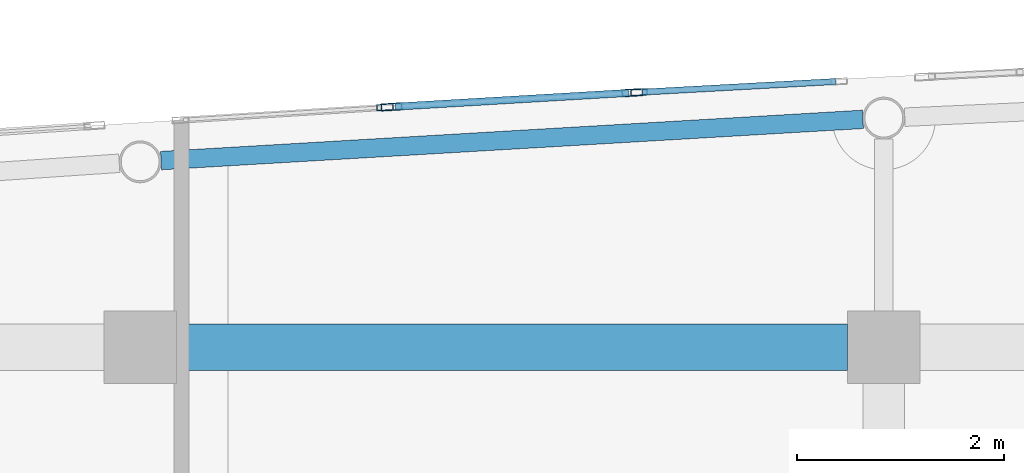
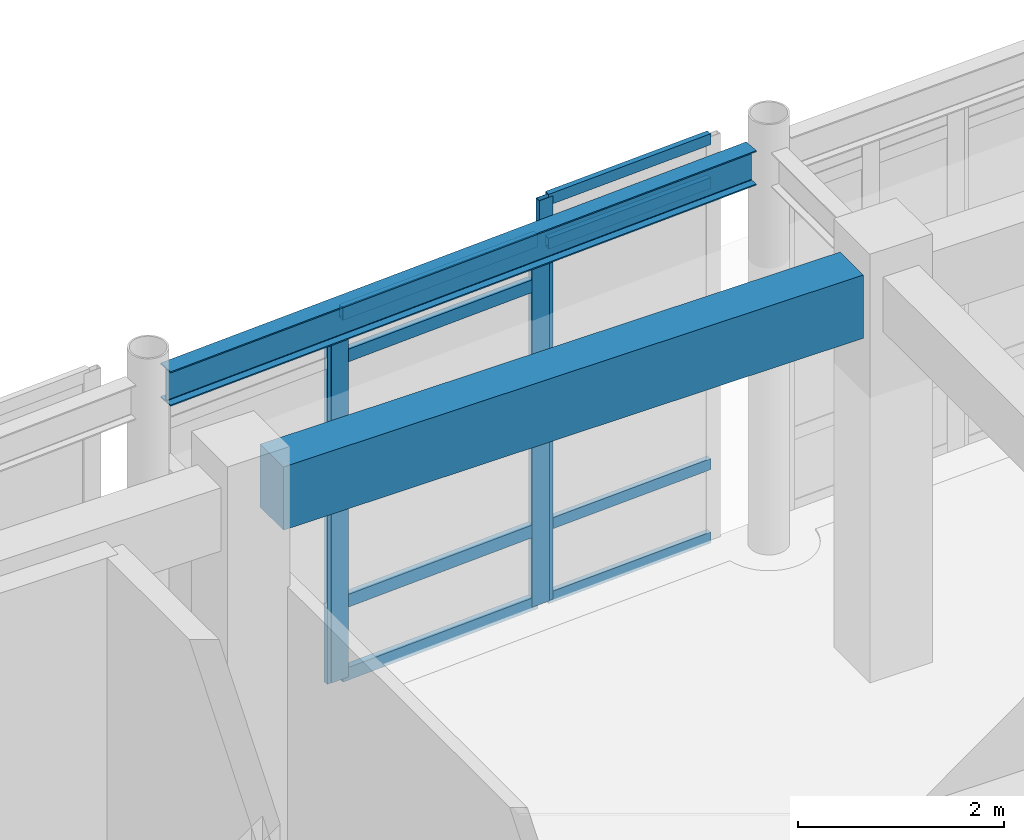
# One storey, part 34 of 117: 12 members, 2 beams, 3 elements without a shape of their own.
"""IFC4 building model written with IfcOpenShell, lengths in metres."""

from ifc_helpers import new_model, si_unit, direction, frame, origin, origin_2d, place, context, subcontext, project, spatial, rectangle, hollow_rectangle, i_section, extrude, material, layer, layer_set, material_profile, profile_set, type_object, element, aggregate, save


model = new_model("IFC4")

# Units and contexts
model_context = context("Model", 3, precision=1e-05, world=origin(), true_north=direction((0.0, 1.0)))
body_context = subcontext(model_context, "Body", "Model", "MODEL_VIEW")
ifc_project = project(units=[si_unit("LENGTHUNIT", "METRE"), si_unit("AREAUNIT", "SQUARE_METRE"), si_unit("VOLUMEUNIT", "CUBIC_METRE"), si_unit("PLANEANGLEUNIT", "RADIAN"), si_unit("MASSUNIT", "GRAM", prefix="KILO")], contexts=[model_context])

# Site, building, storey
site_placement = place(None, origin())
site = spatial("IfcSite", under=ifc_project, at=site_placement, CompositionType="ELEMENT")
building_placement = place(site_placement, origin())
building = spatial("IfcBuilding", under=site, at=building_placement, Name="Carrowvane Square Congress Hotel", CompositionType="ELEMENT")
storey_placement = place(building_placement, frame((0.0, 0.0, 5.39990234375)))
storey = spatial("IfcBuildingStorey", under=building, at=storey_placement, Name="L01", CompositionType="ELEMENT", Elevation=5.39990234375)

# Beams
ifc_material_1 = material(Name="Concrete C35/45", Category="concrete")
ifc_material_profile_1 = material_profile(ifc_material_1, rectangle(XDim=0.449951171875, YDim=0.75, at=origin_2d()), Name="RC 450x750")
ifc_profile_set_1 = profile_set([ifc_material_profile_1], Name="Concrete C35/45")
beam_type_1 = type_object("IfcBeamType", Name="BM-RC-450x750", PredefinedType="USERDEFINED", material=ifc_profile_set_1)
beam_1_placement = place(storey_placement, frame((69.550048828125, 113.39990234375, 4.405029296875), z_axis=(1.0, 0.0, 0.0), x_axis=(0.0, 1.0, 0.0)))
element("IfcBeam", 1, at=beam_1_placement, inside=storey, type_object=beam_type_1, Name="L02 girder R/9-10", ObjectType="GIRDER", PredefinedType="USERDEFINED", context=body_context, shape_type="SweptSolid", body=[
    extrude(rectangle(XDim=0.449951171875, YDim=0.75, at=origin_2d()), origin(), (0.0, 0.0, 1.0), 6.5),
])
ifc_material_2 = material(Name="Steel S355", Category="steel")
ifc_material_profile_2 = material_profile(ifc_material_2, i_section(OverallWidth=0.1787109375, OverallDepth=0.409423828125, WebThickness=0.0087890625, FlangeThickness=0.014404296875, FilletRadius=0.01025390625, at=origin_2d()), Name="UKB 406x178x67")
ifc_profile_set_2 = profile_set([ifc_material_profile_2], Name="Steel S355")
beam_type_2 = type_object("IfcBeamType", Name="BM-ST-UKB406", PredefinedType="BEAM", material=ifc_profile_set_2)
beam_2_placement = place(storey_placement, frame((69.40283203125, 115.206298828125, 4.575439453125), z_axis=(0.998276598904, 0.058684172325, 0.0), x_axis=(-0.058684172325, 0.998276598904, 0.0)))
element("IfcBeam", 2, at=beam_2_placement, inside=storey, type_object=beam_type_2, Name="L02 curved north spandrel", PredefinedType="BEAM", context=body_context, shape_type="SweptSolid", body=[
    extrude(i_section(OverallWidth=0.1787109375, OverallDepth=0.409423828125, WebThickness=0.0087890625, FlangeThickness=0.014404296875, FilletRadius=0.01025390625, at=origin_2d()), origin(), (0.0, 0.0, 1.0), 6.80615234375),
])

# Curtain wall, member
ifc_material_3 = material(Name="Anodised aluminium", Category="aluminium")
ifc_layer_1 = layer(ifc_material_3, 0.2099609375)
ifc_layer_set_1 = layer_set([ifc_layer_1], Name="Anodised aluminium")
curtain_wall_type_1 = type_object("IfcCurtainWallType", Name="CW-SYS-5", PredefinedType="NOTDEFINED", material=ifc_layer_set_1)
curtain_wall_1_placement = place(storey_placement, origin())
curtain_wall_1 = element("IfcCurtainWall", 3, at=curtain_wall_1_placement, inside=storey, type_object=curtain_wall_type_1, Name="L01 unitised curtain wall 76", PredefinedType="NOTDEFINED")
ifc_material_4 = material(Name="Anodised aluminium", Category="aluminium")
ifc_material_profile_3 = material_profile(ifc_material_4, hollow_rectangle(XDim=0.06005859375, YDim=0.159912109375, WallThickness=0.00390625, at=origin_2d()), Name="CW-ML 60x160x4")
ifc_profile_set_3 = profile_set([ifc_material_profile_3], Name="Anodised aluminium")
member_type_1 = type_object("IfcMemberType", Name="CW-MUL-1", PredefinedType="MULLION", material=ifc_profile_set_3)
member_1_placement = place(storey_placement, frame((71.570068359375, 115.722412109375, 0.0), z_axis=(0.0, 0.0, 1.0), x_axis=(-0.062397474952, 0.998051378998, 0.0)))
member_1 = element("IfcMember", 4, at=member_1_placement, type_object=member_type_1, Name="CW-5 mullion 2", PredefinedType="MULLION", context=body_context, shape_type="SweptSolid", body=[
    extrude(hollow_rectangle(XDim=0.06005859375, YDim=0.159912109375, WallThickness=0.00390625, at=origin_2d()), origin(), (0.0, 0.0, 1.0), 4.355712890625),
])
aggregate(curtain_wall_1, [member_1])

ifc_material_5 = material(Name="Anodised aluminium", Category="aluminium")
ifc_layer_2 = layer(ifc_material_5, 0.23388671875)
ifc_layer_set_2 = layer_set([ifc_layer_2], Name="Anodised aluminium")
curtain_wall_type_2 = type_object("IfcCurtainWallType", Name="CW-SYS-7", PredefinedType="NOTDEFINED", material=ifc_layer_set_2)
curtain_wall_2_placement = place(storey_placement, origin())
curtain_wall_2 = element("IfcCurtainWall", 5, at=curtain_wall_2_placement, inside=storey, type_object=curtain_wall_type_2, Name="L01 unitised curtain wall 78", PredefinedType="NOTDEFINED")
member_2_placement = place(storey_placement, frame((74.030029296875, 115.867431640625, 0.0), z_axis=(0.0, 0.0, 1.0), x_axis=(-0.054815980317, 0.998496473856, 0.0)))
member_2 = element("IfcMember", 6, at=member_2_placement, type_object=member_type_1, Name="CW-7 mullion 1", PredefinedType="MULLION", context=body_context, shape_type="SweptSolid", body=[
    extrude(hollow_rectangle(XDim=0.06005859375, YDim=0.159912109375, WallThickness=0.00390625, at=origin_2d()), origin(), (0.0, 0.0, 1.0), 4.780029296875),
])

# Curtain wall, members
ifc_material_6 = material(Name="Anodised aluminium", Category="aluminium")
ifc_layer_3 = layer(ifc_material_6, 0.221923828125)
ifc_layer_set_3 = layer_set([ifc_layer_3], Name="Anodised aluminium")
curtain_wall_type_3 = type_object("IfcCurtainWallType", Name="CW-SYS-6", PredefinedType="NOTDEFINED", material=ifc_layer_set_3)
curtain_wall_3_placement = place(storey_placement, origin())
curtain_wall_3 = element("IfcCurtainWall", 7, at=curtain_wall_3_placement, inside=storey, type_object=curtain_wall_type_3, Name="L01 unitised curtain wall 77", PredefinedType="NOTDEFINED")
ifc_material_7 = material(Name="Anodised aluminium", Category="aluminium")
ifc_material_profile_4 = material_profile(ifc_material_7, hollow_rectangle(XDim=0.070068359375, YDim=0.199951171875, WallThickness=0.0048828125, at=origin_2d()), Name="CW-ML 70x200x5")
ifc_profile_set_4 = profile_set([ifc_material_profile_4], Name="Anodised aluminium")
member_type_2 = type_object("IfcMemberType", Name="CW-MUL-2", PredefinedType="MULLION", material=ifc_profile_set_4)
member_3_placement = place(storey_placement, frame((71.635009765625, 115.726318359375, 0.0), z_axis=(0.0, 0.0, 1.0), x_axis=(-0.058851249486, 0.998266763162, 0.0)))
member_3 = element("IfcMember", 8, at=member_3_placement, type_object=member_type_2, Name="CW-6 mullion 1", PredefinedType="MULLION", context=body_context, shape_type="SweptSolid", body=[
    extrude(hollow_rectangle(XDim=0.070068359375, YDim=0.199951171875, WallThickness=0.0048828125, at=origin_2d()), origin(), (0.0, 0.0, 1.0), 4.355712890625),
])
member_4_placement = place(storey_placement, frame((73.965087890625, 115.86376953125, 0.0), z_axis=(0.0, 0.0, 1.0), x_axis=(-0.058851249486, 0.998266763162, 0.0)))
member_4 = element("IfcMember", 9, at=member_4_placement, type_object=member_type_2, Name="CW-6 mullion 2", PredefinedType="MULLION", context=body_context, shape_type="SweptSolid", body=[
    extrude(hollow_rectangle(XDim=0.070068359375, YDim=0.199951171875, WallThickness=0.0048828125, at=origin_2d()), origin(), (0.0, 0.0, 1.0), 4.355712890625),
])

# Member
ifc_material_8 = material(Name="Anodised aluminium", Category="aluminium")
ifc_material_profile_5 = material_profile(ifc_material_8, hollow_rectangle(XDim=0.06005859375, YDim=0.1298828125, WallThickness=0.00390625, at=origin_2d()), Name="CW-TR 60x130x4")
ifc_profile_set_5 = profile_set([ifc_material_profile_5], Name="Anodised aluminium")
member_type_3 = type_object("IfcMemberType", Name="CW-TRN-1", PredefinedType="USERDEFINED", material=ifc_profile_set_5)
member_5_placement = place(storey_placement, frame((74.059814453125, 115.869140625, 0.030029296875), z_axis=(0.99849494655, 0.054843793758, 0.0), x_axis=(-0.054843793758, 0.99849494655, 0.0)))
member_5 = element("IfcMember", 10, at=member_5_placement, type_object=member_type_3, Name="CW-7 transom 1.1", ObjectType="TRANSOM", PredefinedType="USERDEFINED", context=body_context, shape_type="SweptSolid", body=[
    extrude(hollow_rectangle(XDim=0.06005859375, YDim=0.1298828125, WallThickness=0.00390625, at=origin_2d()), origin(), (0.0, 0.0, 1.0), 1.878662109375),
])

member_6_placement = place(storey_placement, frame((74.059814453125, 115.869140625, 0.900146484375), z_axis=(0.99849494655, 0.054843793758, 0.0), x_axis=(-0.054843793758, 0.99849494655, 0.0)))
member_6 = element("IfcMember", 11, at=member_6_placement, type_object=member_type_3, Name="CW-7 transom 1.2", ObjectType="TRANSOM", PredefinedType="USERDEFINED", context=body_context, shape_type="SweptSolid", body=[
    extrude(hollow_rectangle(XDim=0.06005859375, YDim=0.1298828125, WallThickness=0.00390625, at=origin_2d()), origin(), (0.0, 0.0, 1.0), 1.878662109375),
])

member_7_placement = place(storey_placement, frame((74.059814453125, 115.869140625, 4.22998046875), z_axis=(0.99849494655, 0.054843793758, 0.0), x_axis=(-0.054843793758, 0.99849494655, 0.0)))
member_7 = element("IfcMember", 12, at=member_7_placement, type_object=member_type_3, Name="CW-7 transom 1.3", ObjectType="TRANSOM", PredefinedType="USERDEFINED", context=body_context, shape_type="SweptSolid", body=[
    extrude(hollow_rectangle(XDim=0.06005859375, YDim=0.1298828125, WallThickness=0.00390625, at=origin_2d()), origin(), (0.0, 0.0, 1.0), 1.878662109375),
])

member_8_placement = place(storey_placement, frame((74.059814453125, 115.869140625, 4.75), z_axis=(0.99849494655, 0.054843793758, 0.0), x_axis=(-0.054843793758, 0.99849494655, 0.0)))
member_8 = element("IfcMember", 13, at=member_8_placement, type_object=member_type_3, Name="CW-7 transom 1.4", ObjectType="TRANSOM", PredefinedType="USERDEFINED", context=body_context, shape_type="SweptSolid", body=[
    extrude(hollow_rectangle(XDim=0.06005859375, YDim=0.1298828125, WallThickness=0.00390625, at=origin_2d()), origin(), (0.0, 0.0, 1.0), 1.878662109375),
])

aggregate(curtain_wall_2, [member_2, member_5, member_6, member_7, member_8])

ifc_material_9 = material(Name="Anodised aluminium", Category="aluminium")
ifc_material_profile_6 = material_profile(ifc_material_9, hollow_rectangle(XDim=0.070068359375, YDim=0.14990234375, WallThickness=0.0048828125, at=origin_2d()), Name="CW-TR 70x150x5")
ifc_profile_set_6 = profile_set([ifc_material_profile_6], Name="Anodised aluminium")
member_type_4 = type_object("IfcMemberType", Name="CW-TRN-2", PredefinedType="USERDEFINED", material=ifc_profile_set_6)
member_9_placement = place(storey_placement, frame((71.669921875, 115.728515625, 0.03515625), z_axis=(0.998265438007, 0.058873723175, 0.0), x_axis=(-0.058873723175, 0.998265438007, 0.0)))
member_9 = element("IfcMember", 14, at=member_9_placement, type_object=member_type_4, Name="CW-6 transom 1.1", ObjectType="TRANSOM", PredefinedType="USERDEFINED", context=body_context, shape_type="SweptSolid", body=[
    extrude(hollow_rectangle(XDim=0.070068359375, YDim=0.14990234375, WallThickness=0.0048828125, at=origin_2d()), origin(), (0.0, 0.0, 1.0), 2.26416015625),
])

member_10_placement = place(storey_placement, frame((71.669921875, 115.728515625, 0.900146484375), z_axis=(0.998265438007, 0.058873723175, 0.0), x_axis=(-0.058873723175, 0.998265438007, 0.0)))
member_10 = element("IfcMember", 15, at=member_10_placement, type_object=member_type_4, Name="CW-6 transom 1.2", ObjectType="TRANSOM", PredefinedType="USERDEFINED", context=body_context, shape_type="SweptSolid", body=[
    extrude(hollow_rectangle(XDim=0.070068359375, YDim=0.14990234375, WallThickness=0.0048828125, at=origin_2d()), origin(), (0.0, 0.0, 1.0), 2.26416015625),
])

member_11_placement = place(storey_placement, frame((71.669921875, 115.728515625, 3.8056640625), z_axis=(0.998265438007, 0.058873723175, 0.0), x_axis=(-0.058873723175, 0.998265438007, 0.0)))
member_11 = element("IfcMember", 16, at=member_11_placement, type_object=member_type_4, Name="CW-6 transom 1.3", ObjectType="TRANSOM", PredefinedType="USERDEFINED", context=body_context, shape_type="SweptSolid", body=[
    extrude(hollow_rectangle(XDim=0.070068359375, YDim=0.14990234375, WallThickness=0.0048828125, at=origin_2d()), origin(), (0.0, 0.0, 1.0), 2.26416015625),
])

member_12_placement = place(storey_placement, frame((71.669921875, 115.728515625, 4.32080078125), z_axis=(0.998265438007, 0.058873723175, 0.0), x_axis=(-0.058873723175, 0.998265438007, 0.0)))
member_12 = element("IfcMember", 17, at=member_12_placement, type_object=member_type_4, Name="CW-6 transom 1.4", ObjectType="TRANSOM", PredefinedType="USERDEFINED", context=body_context, shape_type="SweptSolid", body=[
    extrude(hollow_rectangle(XDim=0.070068359375, YDim=0.14990234375, WallThickness=0.0048828125, at=origin_2d()), origin(), (0.0, 0.0, 1.0), 2.26416015625),
])

aggregate(curtain_wall_3, [member_3, member_4, member_9, member_10, member_11, member_12])

save(model, "model.ifc")
